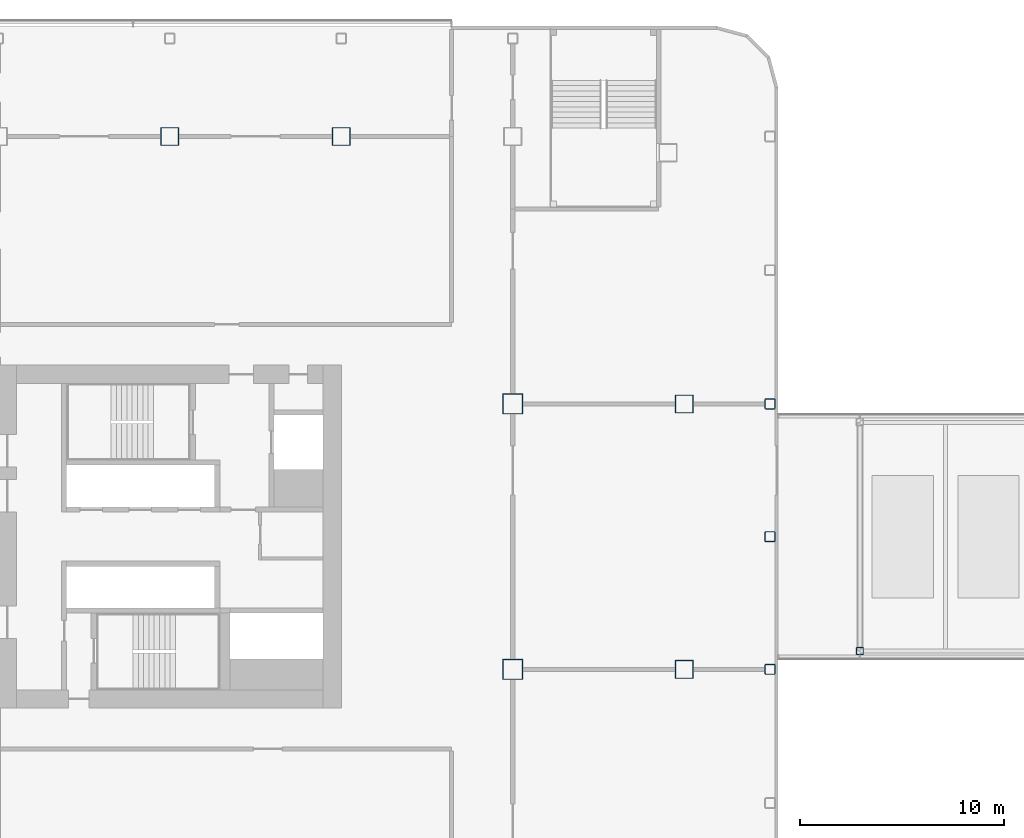
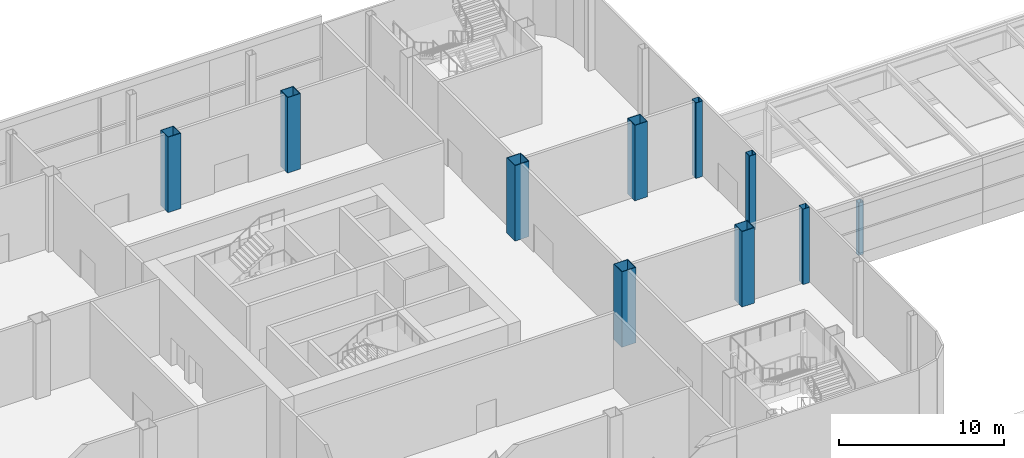
# One storey, part 6 of 100: 10 columns.
"""IFC4 building model written with IfcOpenShell, lengths in metres."""

from ifc_helpers import new_model, si_unit, direction, frame, origin, origin_2d, place, context, subcontext, project, spatial, hollow_rectangle, extrude, material, material_profile, profile_set, type_object, element, save


model = new_model("IFC4")

# Units and contexts
model_context = context("Model", 3, precision=1e-05, world=origin(), true_north=direction((0.0, 1.0)))
body_context = subcontext(model_context, "Body", "Model", "MODEL_VIEW")
ifc_project = project(units=[si_unit("LENGTHUNIT", "METRE"), si_unit("AREAUNIT", "SQUARE_METRE"), si_unit("VOLUMEUNIT", "CUBIC_METRE"), si_unit("PLANEANGLEUNIT", "RADIAN"), si_unit("MASSUNIT", "GRAM", prefix="KILO")], contexts=[model_context])

# Site, building, storey
site_placement = place(None, origin())
site = spatial("IfcSite", under=ifc_project, at=site_placement, CompositionType="ELEMENT")
building_placement = place(site_placement, origin())
building = spatial("IfcBuilding", under=site, at=building_placement, Name="Hakoniwa Tower and Hamabe Station Hall", CompositionType="ELEMENT")
storey_placement = place(building_placement, frame((0.0, 0.0, 9.0)))
storey = spatial("IfcBuildingStorey", under=building, at=storey_placement, Name="L02", CompositionType="ELEMENT", Elevation=9.0)

# Columns
ifc_material_1 = material(Name="Steel BCR295", Category="steel")
ifc_material_profile_1 = material_profile(ifc_material_1, hollow_rectangle(XDim=0.35009765625, YDim=0.35009765625, WallThickness=0.011962890625, OuterFilletRadius=0.026123046875, at=origin_2d()), Name="ARCADE COLUMN BCR-350x350x12")
ifc_profile_set_1 = profile_set([ifc_material_profile_1], Name="Steel BCR295")
column_type_1 = type_object("IfcColumnType", Name="ARCADE COLUMN BCR-350x350x12", PredefinedType="COLUMN", material=ifc_profile_set_1)
column_placement = place(storey_placement, frame((59.0, -5.60009765625, 0.0), z_axis=(0.0, 0.0, 1.0), x_axis=(1.0, 0.0, 0.0)))
element("IfcColumn", 1, at=column_placement, inside=storey, type_object=column_type_1, Name="Arcade upper column AC1S", PredefinedType="COLUMN", context=body_context, shape_type="SweptSolid", body=[
    extrude(hollow_rectangle(XDim=0.35009765625, YDim=0.35009765625, WallThickness=0.011962890625, OuterFilletRadius=0.026123046875, at=origin_2d()), origin(), (0.0, 0.0, 1.0), 3.89990234375),
])
ifc_material_2 = material(Name="Steel BCR295", Category="steel")
ifc_material_profile_2 = material_profile(ifc_material_2, hollow_rectangle(XDim=0.5, YDim=0.5, WallThickness=0.01904296875, InnerFilletRadius=0.028564453125, OuterFilletRadius=0.047607421875, at=origin_2d()), Name="BCR-500x500x19")
ifc_profile_set_2 = profile_set([ifc_material_profile_2], Name="Steel BCR295")
column_type_2 = type_object("IfcColumnType", Name="COLUMN BCR-500x500x19", PredefinedType="COLUMN", material=ifc_profile_set_2)
for number, where, z_axis, x_axis, name in (
    (2, (54.60009765625, -6.5, 0.0), (0.0, 0.0, 1.0), (1.0, 0.0, 0.0), "Column P-RE-C1"),
    (3, (54.60009765625, 0.0, 0.0), (0.0, 0.0, 1.0), (1.0, 0.0, 0.0), "Column P-RE-D1"),
    (4, (54.60009765625, 6.5, 0.0), (0.0, 0.0, 1.0), (1.0, 0.0, 0.0), "Column P-RE-E1"),
):
    element("IfcColumn", number, at=place(storey_placement, frame(where, z_axis=z_axis, x_axis=x_axis)), inside=storey, type_object=column_type_2, Name=name, PredefinedType="COLUMN", context=body_context, shape_type="SweptSolid", body=[
        extrude(hollow_rectangle(XDim=0.5, YDim=0.5, WallThickness=0.01904296875, InnerFilletRadius=0.028564453125, OuterFilletRadius=0.047607421875, at=origin_2d()), origin(), (0.0, 0.0, 1.0), 5.60009765625),
    ])
ifc_material_3 = material(Name="Steel SN490C", Category="steel")
ifc_material_profile_3 = material_profile(ifc_material_3, hollow_rectangle(XDim=1.0, YDim=1.0, WallThickness=0.0400390625, at=origin_2d()), Name="BX-1000x1000x40")
ifc_profile_set_3 = profile_set([ifc_material_profile_3], Name="Steel SN490C")
column_type_3 = type_object("IfcColumnType", Name="COLUMN BX-1000x1000x40", PredefinedType="COLUMN", material=ifc_profile_set_3)
for number, where, z_axis, x_axis, name in (
    (5, (42.0, -6.5, 0.0), (0.0, 0.0, 1.0), (1.0, 0.0, 0.0), "Column P-12-C1"),
    (6, (42.0, 6.5, 0.0), (0.0, 0.0, 1.0), (1.0, 0.0, 0.0), "Column P-12-E1"),
):
    element("IfcColumn", number, at=place(storey_placement, frame(where, z_axis=z_axis, x_axis=x_axis)), inside=storey, type_object=column_type_3, Name=name, PredefinedType="COLUMN", context=body_context, shape_type="SweptSolid", body=[
        extrude(hollow_rectangle(XDim=1.0, YDim=1.0, WallThickness=0.0400390625, at=origin_2d()), origin(), (0.0, 0.0, 1.0), 5.60009765625),
    ])
ifc_material_4 = material(Name="Steel SN490C", Category="steel")
ifc_material_profile_4 = material_profile(ifc_material_4, hollow_rectangle(XDim=0.89990234375, YDim=0.89990234375, WallThickness=0.035888671875, at=origin_2d()), Name="BX-900x900x36")
ifc_profile_set_4 = profile_set([ifc_material_profile_4], Name="Steel SN490C")
column_type_4 = type_object("IfcColumnType", Name="COLUMN BX-900x900x36", PredefinedType="COLUMN", material=ifc_profile_set_4)
for number, where, z_axis, x_axis, name in (
    (7, (25.199951171875, 19.60009765625, 0.0), (0.0, 0.0, 1.0), (1.0, 0.0, 0.0), "Column P-10-G1"),
    (8, (33.60009765625, 19.60009765625, 0.0), (0.0, 0.0, 1.0), (1.0, 0.0, 0.0), "Column P-11-G1"),
    (9, (50.39990234375, -6.5, 0.0), (0.0, 0.0, 1.0), (1.0, 0.0, 0.0), "Column P-13-C1"),
    (10, (50.39990234375, 6.5, 0.0), (0.0, 0.0, 1.0), (1.0, 0.0, 0.0), "Column P-13-E1"),
):
    element("IfcColumn", number, at=place(storey_placement, frame(where, z_axis=z_axis, x_axis=x_axis)), inside=storey, type_object=column_type_4, Name=name, PredefinedType="COLUMN", context=body_context, shape_type="SweptSolid", body=[
        extrude(hollow_rectangle(XDim=0.89990234375, YDim=0.89990234375, WallThickness=0.035888671875, at=origin_2d()), origin(), (0.0, 0.0, 1.0), 5.60009765625),
    ])

save(model, "model.ifc")
